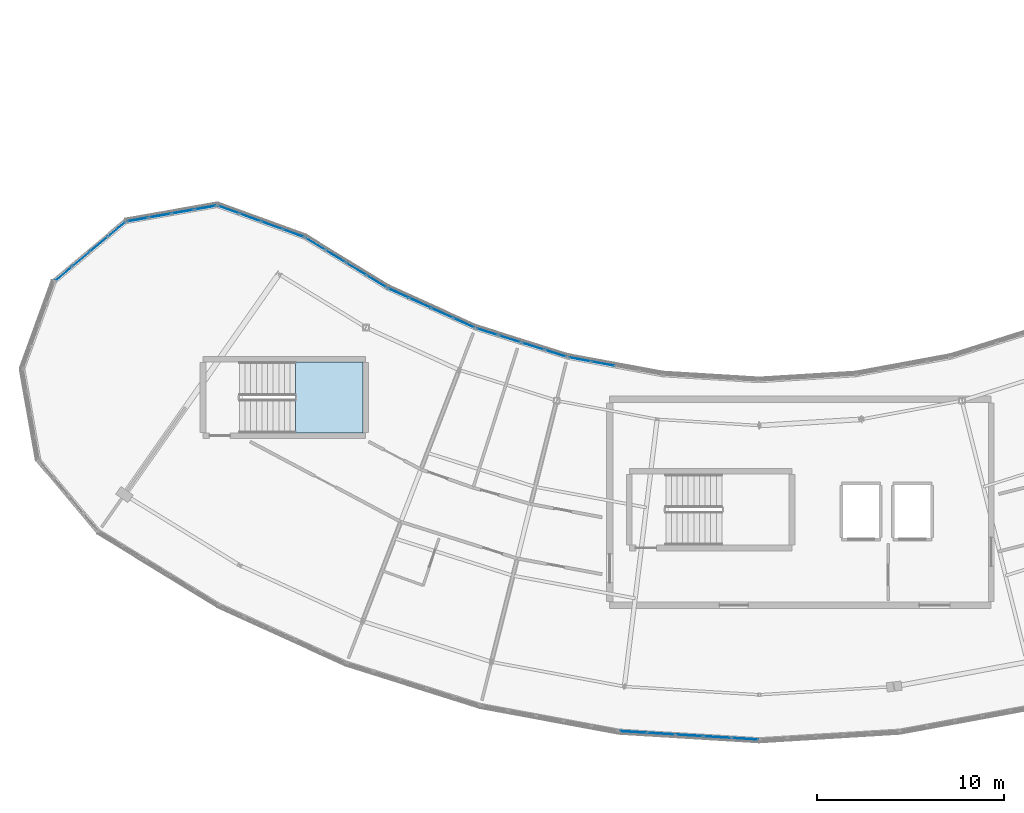
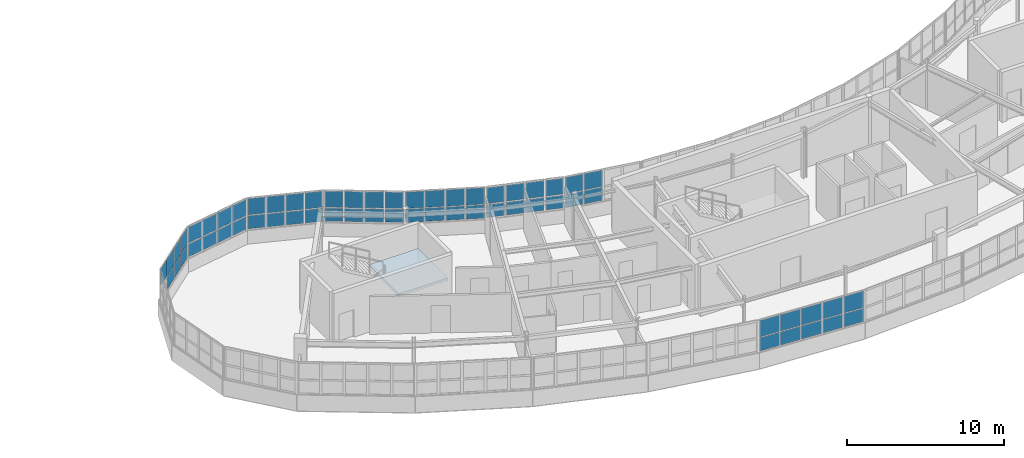
# One storey, part 47 of 79: 61 plates, 1 slab, 9 elements without a shape of their own.
"""IFC4 building model written with IfcOpenShell, lengths in metres."""

from ifc_helpers import new_model, si_unit, direction, frame, origin, origin_2d, place, context, subcontext, project, spatial, polyline, rectangle, outline, extrude, material, layer, layer_set, type_object, element, aggregate, save


model = new_model("IFC4")

# Units and contexts
model_context = context("Model", 3, precision=1e-05, world=origin(), true_north=direction((0.0, 1.0)))
body_context = subcontext(model_context, "Body", "Model", "MODEL_VIEW")
ifc_project = project(units=[si_unit("LENGTHUNIT", "METRE"), si_unit("AREAUNIT", "SQUARE_METRE"), si_unit("VOLUMEUNIT", "CUBIC_METRE"), si_unit("PLANEANGLEUNIT", "RADIAN"), si_unit("MASSUNIT", "GRAM", prefix="KILO")], contexts=[model_context])

# Site, building, storey
site_placement = place(None, origin())
site = spatial("IfcSite", under=ifc_project, at=site_placement, CompositionType="ELEMENT")
building_placement = place(site_placement, origin())
building = spatial("IfcBuilding", under=site, at=building_placement, Name="Tarnwether General Hospital", CompositionType="ELEMENT")
storey_placement = place(building_placement, frame((0.0, 0.0, 18.300048828125)))
storey = spatial("IfcBuildingStorey", under=building, at=storey_placement, Name="L04", CompositionType="ELEMENT", Elevation=18.300048828125)

# Curtain wall, plates
ifc_material_1 = material(Name="Anodised aluminium", Category="aluminium")
ifc_layer_1 = layer(ifc_material_1, 0.159912109375)
ifc_layer_set_1 = layer_set([ifc_layer_1], Name="Anodised aluminium")
curtain_wall_type_1 = type_object("IfcCurtainWallType", Name="CW-09", PredefinedType="NOTDEFINED", material=ifc_layer_set_1)
curtain_wall_1_placement = place(storey_placement, origin())
curtain_wall_1 = element("IfcCurtainWall", 1, at=curtain_wall_1_placement, inside=storey, type_object=curtain_wall_type_1, Name="Curtain Wall CWG-L04-920_14-0190", PredefinedType="NOTDEFINED")
ifc_material_2 = material(Name="Double glazed low-E glass", Category="glass")
ifc_layer_2 = layer(ifc_material_2, 0.028076171875)
ifc_layer_set_2 = layer_set([ifc_layer_2], Name="Double glazed low-E glass")
plate_type_1 = type_object("IfcPlateType", Name="PT-CWP1", PredefinedType="CURTAIN_PANEL", material=ifc_layer_set_2)
plate_1_placement = place(storey_placement, frame((91.234375, 1.44677734375, 1.10986328125), z_axis=(0.0, 0.0, 1.0), x_axis=(-0.998135995608, 0.061028962567, 0.0)))
plate_1 = element("IfcPlate", 2, at=plate_1_placement, type_object=plate_type_1, Name="CW-09 panel 1.1", PredefinedType="CURTAIN_PANEL", context=body_context, shape_type="SweptSolid", body=[
    extrude(rectangle(XDim=1.414306640625, YDim=0.028076171875, at=origin_2d()), origin(), (0.0, 0.0, 1.0), 1.030517578125),
])
plate_2_placement = place(storey_placement, frame((91.234375, 1.44677734375, 2.2001953125), z_axis=(0.0, 0.0, 1.0), x_axis=(-0.998135995608, 0.061028962567, 0.0)))
plate_2 = element("IfcPlate", 3, at=plate_2_placement, type_object=plate_type_1, Name="CW-09 panel 1.2", PredefinedType="CURTAIN_PANEL", context=body_context, shape_type="SweptSolid", body=[
    extrude(rectangle(XDim=1.414306640625, YDim=0.028076171875, at=origin_2d()), origin(), (0.0, 0.0, 1.0), 1.279541015625),
])
plate_3_placement = place(storey_placement, frame((89.747802734375, 1.53759765625, 1.10986328125), z_axis=(0.0, 0.0, 1.0), x_axis=(-0.998135995608, 0.061028962567, 0.0)))
plate_3 = element("IfcPlate", 4, at=plate_3_placement, type_object=plate_type_1, Name="CW-09 panel 2.1", PredefinedType="CURTAIN_PANEL", context=body_context, shape_type="SweptSolid", body=[
    extrude(rectangle(XDim=1.444091796875, YDim=0.028076171875, at=origin_2d()), origin(), (0.0, 0.0, 1.0), 1.030517578125),
])
plate_4_placement = place(storey_placement, frame((89.747802734375, 1.53759765625, 2.2001953125), z_axis=(0.0, 0.0, 1.0), x_axis=(-0.998135995608, 0.061028962567, 0.0)))
plate_4 = element("IfcPlate", 5, at=plate_4_placement, type_object=plate_type_1, Name="CW-09 panel 2.2", PredefinedType="CURTAIN_PANEL", context=body_context, shape_type="SweptSolid", body=[
    extrude(rectangle(XDim=1.444091796875, YDim=0.028076171875, at=origin_2d()), origin(), (0.0, 0.0, 1.0), 1.279541015625),
])
plate_5_placement = place(storey_placement, frame((88.24658203125, 1.62939453125, 1.10986328125), z_axis=(0.0, 0.0, 1.0), x_axis=(-0.998135995608, 0.061028962567, 0.0)))
plate_5 = element("IfcPlate", 6, at=plate_5_placement, type_object=plate_type_1, Name="CW-09 panel 3.1", PredefinedType="CURTAIN_PANEL", context=body_context, shape_type="SweptSolid", body=[
    extrude(rectangle(XDim=1.444091796875, YDim=0.028076171875, at=origin_2d()), origin(), (0.0, 0.0, 1.0), 1.030517578125),
])
plate_6_placement = place(storey_placement, frame((88.24658203125, 1.62939453125, 2.2001953125), z_axis=(0.0, 0.0, 1.0), x_axis=(-0.998135995608, 0.061028962567, 0.0)))
plate_6 = element("IfcPlate", 7, at=plate_6_placement, type_object=plate_type_1, Name="CW-09 panel 3.2", PredefinedType="CURTAIN_PANEL", context=body_context, shape_type="SweptSolid", body=[
    extrude(rectangle(XDim=1.444091796875, YDim=0.028076171875, at=origin_2d()), origin(), (0.0, 0.0, 1.0), 1.279541015625),
])
plate_7_placement = place(storey_placement, frame((86.7451171875, 1.72119140625, 1.10986328125), z_axis=(0.0, 0.0, 1.0), x_axis=(-0.998135995608, 0.061028962567, 0.0)))
plate_7 = element("IfcPlate", 8, at=plate_7_placement, type_object=plate_type_1, Name="CW-09 panel 4.1", PredefinedType="CURTAIN_PANEL", context=body_context, shape_type="SweptSolid", body=[
    extrude(rectangle(XDim=1.444091796875, YDim=0.028076171875, at=origin_2d()), origin(), (0.0, 0.0, 1.0), 1.030517578125),
])
plate_8_placement = place(storey_placement, frame((86.7451171875, 1.72119140625, 2.2001953125), z_axis=(0.0, 0.0, 1.0), x_axis=(-0.998135995608, 0.061028962567, 0.0)))
plate_8 = element("IfcPlate", 9, at=plate_8_placement, type_object=plate_type_1, Name="CW-09 panel 4.2", PredefinedType="CURTAIN_PANEL", context=body_context, shape_type="SweptSolid", body=[
    extrude(rectangle(XDim=1.444091796875, YDim=0.028076171875, at=origin_2d()), origin(), (0.0, 0.0, 1.0), 1.279541015625),
])
plate_9_placement = place(storey_placement, frame((85.2587890625, 1.812255859375, 1.10986328125), z_axis=(0.0, 0.0, 1.0), x_axis=(-0.998135995608, 0.061028962567, 0.0)))
plate_9 = element("IfcPlate", 10, at=plate_9_placement, type_object=plate_type_1, Name="CW-09 panel 5.1", PredefinedType="CURTAIN_PANEL", context=body_context, shape_type="SweptSolid", body=[
    extrude(rectangle(XDim=1.414306640625, YDim=0.028076171875, at=origin_2d()), origin(), (0.0, 0.0, 1.0), 1.030517578125),
])
plate_10_placement = place(storey_placement, frame((85.2587890625, 1.812255859375, 2.2001953125), z_axis=(0.0, 0.0, 1.0), x_axis=(-0.998135995608, 0.061028962567, 0.0)))
plate_10 = element("IfcPlate", 11, at=plate_10_placement, type_object=plate_type_1, Name="CW-09 panel 5.2", PredefinedType="CURTAIN_PANEL", context=body_context, shape_type="SweptSolid", body=[
    extrude(rectangle(XDim=1.414306640625, YDim=0.028076171875, at=origin_2d()), origin(), (0.0, 0.0, 1.0), 1.279541015625),
])
aggregate(curtain_wall_1, [plate_1, plate_2, plate_3, plate_4, plate_5, plate_6, plate_7, plate_8, plate_9, plate_10])

ifc_material_3 = material(Name="Anodised aluminium", Category="aluminium")
ifc_layer_3 = layer(ifc_material_3, 0.159912109375)
ifc_layer_set_3 = layer_set([ifc_layer_3], Name="Anodised aluminium")
curtain_wall_type_2 = type_object("IfcCurtainWallType", Name="CW-03", PredefinedType="NOTDEFINED", material=ifc_layer_set_3)
curtain_wall_2_placement = place(storey_placement, origin())
curtain_wall_2 = element("IfcCurtainWall", 12, at=curtain_wall_2_placement, inside=storey, type_object=curtain_wall_type_2, Name="Curtain Wall CWG-L04-817_219-0208", PredefinedType="NOTDEFINED")
plate_11_placement = place(storey_placement, frame((82.395263671875, 21.73828125, 1.114990234375), z_axis=(0.0, 0.0, 1.0), x_axis=(0.983267910924, -0.182165351666, 0.0)))
plate_11 = element("IfcPlate", 13, at=plate_11_placement, type_object=plate_type_1, Name="CW-03 panel 1.1", PredefinedType="CURTAIN_PANEL", context=body_context, shape_type="SweptSolid", body=[
    extrude(rectangle(XDim=1.196533203125, YDim=0.028076171875, at=origin_2d()), origin(), (0.0, 0.0, 1.0), 1.02294921875),
])
plate_12_placement = place(storey_placement, frame((82.395263671875, 21.73828125, 2.202880859375), z_axis=(0.0, 0.0, 1.0), x_axis=(0.983267910924, -0.182165351666, 0.0)))
plate_12 = element("IfcPlate", 14, at=plate_12_placement, type_object=plate_type_1, Name="CW-03 panel 1.2", PredefinedType="CURTAIN_PANEL", context=body_context, shape_type="SweptSolid", body=[
    extrude(rectangle(XDim=1.196533203125, YDim=0.028076171875, at=origin_2d()), origin(), (0.0, 0.0, 1.0), 1.27197265625),
])
plate_13_placement = place(storey_placement, frame((83.65185546875, 21.50537109375, 1.114990234375), z_axis=(0.0, 0.0, 1.0), x_axis=(0.983267910924, -0.182165351666, 0.0)))
plate_13 = element("IfcPlate", 15, at=plate_13_placement, type_object=plate_type_1, Name="CW-03 panel 2.1", PredefinedType="CURTAIN_PANEL", context=body_context, shape_type="SweptSolid", body=[
    extrude(rectangle(XDim=1.229248046875, YDim=0.028076171875, at=origin_2d()), origin(), (0.0, 0.0, 1.0), 1.02294921875),
])
plate_14_placement = place(storey_placement, frame((83.65185546875, 21.50537109375, 2.202880859375), z_axis=(0.0, 0.0, 1.0), x_axis=(0.983267910924, -0.182165351666, 0.0)))
plate_14 = element("IfcPlate", 16, at=plate_14_placement, type_object=plate_type_1, Name="CW-03 panel 2.2", PredefinedType="CURTAIN_PANEL", context=body_context, shape_type="SweptSolid", body=[
    extrude(rectangle(XDim=1.229248046875, YDim=0.028076171875, at=origin_2d()), origin(), (0.0, 0.0, 1.0), 1.27197265625),
])
aggregate(curtain_wall_2, [plate_11, plate_12, plate_13, plate_14])

curtain_wall_3_placement = place(storey_placement, origin())
curtain_wall_3 = element("IfcCurtainWall", 17, at=curtain_wall_3_placement, inside=storey, type_object=curtain_wall_type_2, Name="Curtain Wall CWG-L04-768_234-0209", PredefinedType="NOTDEFINED")
plate_15_placement = place(storey_placement, frame((77.44140625, 23.21533203125, 1.1298828125), z_axis=(0.0, 0.0, 1.0), x_axis=(0.953713927508, -0.30071538783, 0.0)))
plate_15 = element("IfcPlate", 18, at=plate_15_placement, type_object=plate_type_1, Name="CW-03 panel 1.1", PredefinedType="CURTAIN_PANEL", context=body_context, shape_type="SweptSolid", body=[
    extrude(rectangle(XDim=1.17431640625, YDim=0.028076171875, at=origin_2d()), origin(), (0.0, 0.0, 1.0), 1.00048828125),
])
plate_16_placement = place(storey_placement, frame((77.44140625, 23.21533203125, 2.21044921875), z_axis=(0.0, 0.0, 1.0), x_axis=(0.953713927508, -0.30071538783, 0.0)))
plate_16 = element("IfcPlate", 19, at=plate_16_placement, type_object=plate_type_1, Name="CW-03 panel 1.2", PredefinedType="CURTAIN_PANEL", context=body_context, shape_type="SweptSolid", body=[
    extrude(rectangle(XDim=1.17431640625, YDim=0.028076171875, at=origin_2d()), origin(), (0.0, 0.0, 1.0), 1.24951171875),
])
plate_17_placement = place(storey_placement, frame((78.65673828125, 22.83203125, 1.1298828125), z_axis=(0.0, 0.0, 1.0), x_axis=(0.953713927508, -0.30071538783, 0.0)))
plate_17 = element("IfcPlate", 20, at=plate_17_placement, type_object=plate_type_1, Name="CW-03 panel 2.1", PredefinedType="CURTAIN_PANEL", context=body_context, shape_type="SweptSolid", body=[
    extrude(rectangle(XDim=1.21435546875, YDim=0.028076171875, at=origin_2d()), origin(), (0.0, 0.0, 1.0), 1.00048828125),
])
plate_18_placement = place(storey_placement, frame((78.65673828125, 22.83203125, 2.21044921875), z_axis=(0.0, 0.0, 1.0), x_axis=(0.953713927508, -0.30071538783, 0.0)))
plate_18 = element("IfcPlate", 21, at=plate_18_placement, type_object=plate_type_1, Name="CW-03 panel 2.2", PredefinedType="CURTAIN_PANEL", context=body_context, shape_type="SweptSolid", body=[
    extrude(rectangle(XDim=1.21435546875, YDim=0.028076171875, at=origin_2d()), origin(), (0.0, 0.0, 1.0), 1.24951171875),
])
plate_19_placement = place(storey_placement, frame((79.891357421875, 22.44287109375, 1.1298828125), z_axis=(0.0, 0.0, 1.0), x_axis=(0.953713927508, -0.30071538783, 0.0)))
plate_19 = element("IfcPlate", 22, at=plate_19_placement, type_object=plate_type_1, Name="CW-03 panel 3.1", PredefinedType="CURTAIN_PANEL", context=body_context, shape_type="SweptSolid", body=[
    extrude(rectangle(XDim=1.21435546875, YDim=0.028076171875, at=origin_2d()), origin(), (0.0, 0.0, 1.0), 1.00048828125),
])
plate_20_placement = place(storey_placement, frame((79.891357421875, 22.44287109375, 2.21044921875), z_axis=(0.0, 0.0, 1.0), x_axis=(0.953713927508, -0.30071538783, 0.0)))
plate_20 = element("IfcPlate", 23, at=plate_20_placement, type_object=plate_type_1, Name="CW-03 panel 3.2", PredefinedType="CURTAIN_PANEL", context=body_context, shape_type="SweptSolid", body=[
    extrude(rectangle(XDim=1.21435546875, YDim=0.028076171875, at=origin_2d()), origin(), (0.0, 0.0, 1.0), 1.24951171875),
])
plate_21_placement = place(storey_placement, frame((81.106689453125, 22.0595703125, 1.1298828125), z_axis=(0.0, 0.0, 1.0), x_axis=(0.953713927508, -0.30071538783, 0.0)))
plate_21 = element("IfcPlate", 24, at=plate_21_placement, type_object=plate_type_1, Name="CW-03 panel 4.1", PredefinedType="CURTAIN_PANEL", context=body_context, shape_type="SweptSolid", body=[
    extrude(rectangle(XDim=1.17431640625, YDim=0.028076171875, at=origin_2d()), origin(), (0.0, 0.0, 1.0), 1.00048828125),
])
plate_22_placement = place(storey_placement, frame((81.106689453125, 22.0595703125, 2.21044921875), z_axis=(0.0, 0.0, 1.0), x_axis=(0.953713927508, -0.30071538783, 0.0)))
plate_22 = element("IfcPlate", 25, at=plate_22_placement, type_object=plate_type_1, Name="CW-03 panel 4.2", PredefinedType="CURTAIN_PANEL", context=body_context, shape_type="SweptSolid", body=[
    extrude(rectangle(XDim=1.17431640625, YDim=0.028076171875, at=origin_2d()), origin(), (0.0, 0.0, 1.0), 1.24951171875),
])
aggregate(curtain_wall_3, [plate_15, plate_16, plate_17, plate_18, plate_19, plate_20, plate_21, plate_22])

curtain_wall_4_placement = place(storey_placement, origin())
curtain_wall_4 = element("IfcCurtainWall", 26, at=curtain_wall_4_placement, inside=storey, type_object=curtain_wall_type_2, Name="Curtain Wall CWG-L04-677_283-0211", PredefinedType="NOTDEFINED")
plate_23_placement = place(storey_placement, frame((68.24658203125, 27.920654296875, 1.1201171875), z_axis=(0.0, 0.0, 1.0), x_axis=(0.852631789198, -0.522512231483, 0.0)))
plate_23 = element("IfcPlate", 27, at=plate_23_placement, type_object=plate_type_1, Name="CW-03 panel 1.1", PredefinedType="CURTAIN_PANEL", context=body_context, shape_type="SweptSolid", body=[
    extrude(rectangle(XDim=1.189208984375, YDim=0.028076171875, at=origin_2d()), origin(), (0.0, 0.0, 1.0), 1.015380859375),
])
plate_24_placement = place(storey_placement, frame((68.24658203125, 27.920654296875, 2.20556640625), z_axis=(0.0, 0.0, 1.0), x_axis=(0.852631789198, -0.522512231483, 0.0)))
plate_24 = element("IfcPlate", 28, at=plate_24_placement, type_object=plate_type_1, Name="CW-03 panel 1.2", PredefinedType="CURTAIN_PANEL", context=body_context, shape_type="SweptSolid", body=[
    extrude(rectangle(XDim=1.189208984375, YDim=0.028076171875, at=origin_2d()), origin(), (0.0, 0.0, 1.0), 1.264404296875),
])
plate_25_placement = place(storey_placement, frame((69.335205078125, 27.253662109375, 1.1201171875), z_axis=(0.0, 0.0, 1.0), x_axis=(0.852631789198, -0.522512231483, 0.0)))
plate_25 = element("IfcPlate", 29, at=plate_25_placement, type_object=plate_type_1, Name="CW-03 panel 2.1", PredefinedType="CURTAIN_PANEL", context=body_context, shape_type="SweptSolid", body=[
    extrude(rectangle(XDim=1.22412109375, YDim=0.028076171875, at=origin_2d()), origin(), (0.0, 0.0, 1.0), 1.015380859375),
])
plate_26_placement = place(storey_placement, frame((69.335205078125, 27.253662109375, 2.20556640625), z_axis=(0.0, 0.0, 1.0), x_axis=(0.852631789198, -0.522512231483, 0.0)))
plate_26 = element("IfcPlate", 30, at=plate_26_placement, type_object=plate_type_1, Name="CW-03 panel 2.2", PredefinedType="CURTAIN_PANEL", context=body_context, shape_type="SweptSolid", body=[
    extrude(rectangle(XDim=1.22412109375, YDim=0.028076171875, at=origin_2d()), origin(), (0.0, 0.0, 1.0), 1.264404296875),
])
plate_27_placement = place(storey_placement, frame((70.438720703125, 26.577392578125, 1.1201171875), z_axis=(0.0, 0.0, 1.0), x_axis=(0.852631789198, -0.522512231483, 0.0)))
plate_27 = element("IfcPlate", 31, at=plate_27_placement, type_object=plate_type_1, Name="CW-03 panel 3.1", PredefinedType="CURTAIN_PANEL", context=body_context, shape_type="SweptSolid", body=[
    extrude(rectangle(XDim=1.22412109375, YDim=0.028076171875, at=origin_2d()), origin(), (0.0, 0.0, 1.0), 1.015380859375),
])
plate_28_placement = place(storey_placement, frame((70.438720703125, 26.577392578125, 2.20556640625), z_axis=(0.0, 0.0, 1.0), x_axis=(0.852631789198, -0.522512231483, 0.0)))
plate_28 = element("IfcPlate", 32, at=plate_28_placement, type_object=plate_type_1, Name="CW-03 panel 3.2", PredefinedType="CURTAIN_PANEL", context=body_context, shape_type="SweptSolid", body=[
    extrude(rectangle(XDim=1.22412109375, YDim=0.028076171875, at=origin_2d()), origin(), (0.0, 0.0, 1.0), 1.264404296875),
])
plate_29_placement = place(storey_placement, frame((71.52734375, 25.91015625, 1.1201171875), z_axis=(0.0, 0.0, 1.0), x_axis=(0.852631789198, -0.522512231483, 0.0)))
plate_29 = element("IfcPlate", 33, at=plate_29_placement, type_object=plate_type_1, Name="CW-03 panel 4.1", PredefinedType="CURTAIN_PANEL", context=body_context, shape_type="SweptSolid", body=[
    extrude(rectangle(XDim=1.189208984375, YDim=0.028076171875, at=origin_2d()), origin(), (0.0, 0.0, 1.0), 1.015380859375),
])
plate_30_placement = place(storey_placement, frame((71.52734375, 25.91015625, 2.20556640625), z_axis=(0.0, 0.0, 1.0), x_axis=(0.852631789198, -0.522512231483, 0.0)))
plate_30 = element("IfcPlate", 34, at=plate_30_placement, type_object=plate_type_1, Name="CW-03 panel 4.2", PredefinedType="CURTAIN_PANEL", context=body_context, shape_type="SweptSolid", body=[
    extrude(rectangle(XDim=1.189208984375, YDim=0.028076171875, at=origin_2d()), origin(), (0.0, 0.0, 1.0), 1.264404296875),
])
aggregate(curtain_wall_4, [plate_23, plate_24, plate_25, plate_26, plate_27, plate_28, plate_29, plate_30])

curtain_wall_5_placement = place(storey_placement, origin())
curtain_wall_5 = element("IfcCurtainWall", 35, at=curtain_wall_5_placement, inside=storey, type_object=curtain_wall_type_2, Name="Curtain Wall CWG-L04-630_300-0212", PredefinedType="NOTDEFINED")
plate_31_placement = place(storey_placement, frame((63.60986328125, 29.75, 1.114990234375), z_axis=(0.0, 0.0, 1.0), x_axis=(0.939652319163, -0.342130850834, 0.0)))
plate_31 = element("IfcPlate", 36, at=plate_31_placement, type_object=plate_type_1, Name="CW-03 panel 1.1", PredefinedType="CURTAIN_PANEL", context=body_context, shape_type="SweptSolid", body=[
    extrude(rectangle(XDim=1.144775390625, YDim=0.028076171875, at=origin_2d()), origin(), (0.0, 0.0, 1.0), 1.02294921875),
])
plate_32_placement = place(storey_placement, frame((63.60986328125, 29.75, 2.202880859375), z_axis=(0.0, 0.0, 1.0), x_axis=(0.939652319163, -0.342130850834, 0.0)))
plate_32 = element("IfcPlate", 37, at=plate_32_placement, type_object=plate_type_1, Name="CW-03 panel 1.2", PredefinedType="CURTAIN_PANEL", context=body_context, shape_type="SweptSolid", body=[
    extrude(rectangle(XDim=1.144775390625, YDim=0.028076171875, at=origin_2d()), origin(), (0.0, 0.0, 1.0), 1.27197265625),
])
plate_33_placement = place(storey_placement, frame((64.761962890625, 29.33056640625, 1.114990234375), z_axis=(0.0, 0.0, 1.0), x_axis=(0.939652319163, -0.342130850834, 0.0)))
plate_33 = element("IfcPlate", 38, at=plate_33_placement, type_object=plate_type_1, Name="CW-03 panel 2.1", PredefinedType="CURTAIN_PANEL", context=body_context, shape_type="SweptSolid", body=[
    extrude(rectangle(XDim=1.17724609375, YDim=0.028076171875, at=origin_2d()), origin(), (0.0, 0.0, 1.0), 1.02294921875),
])
plate_34_placement = place(storey_placement, frame((64.761962890625, 29.33056640625, 2.202880859375), z_axis=(0.0, 0.0, 1.0), x_axis=(0.939652319163, -0.342130850834, 0.0)))
plate_34 = element("IfcPlate", 39, at=plate_34_placement, type_object=plate_type_1, Name="CW-03 panel 2.2", PredefinedType="CURTAIN_PANEL", context=body_context, shape_type="SweptSolid", body=[
    extrude(rectangle(XDim=1.17724609375, YDim=0.028076171875, at=origin_2d()), origin(), (0.0, 0.0, 1.0), 1.27197265625),
])
plate_35_placement = place(storey_placement, frame((65.92919921875, 28.905517578125, 1.114990234375), z_axis=(0.0, 0.0, 1.0), x_axis=(0.939652319163, -0.342130850834, 0.0)))
plate_35 = element("IfcPlate", 40, at=plate_35_placement, type_object=plate_type_1, Name="CW-03 panel 3.1", PredefinedType="CURTAIN_PANEL", context=body_context, shape_type="SweptSolid", body=[
    extrude(rectangle(XDim=1.17724609375, YDim=0.028076171875, at=origin_2d()), origin(), (0.0, 0.0, 1.0), 1.02294921875),
])
plate_36_placement = place(storey_placement, frame((65.92919921875, 28.905517578125, 2.202880859375), z_axis=(0.0, 0.0, 1.0), x_axis=(0.939652319163, -0.342130850834, 0.0)))
plate_36 = element("IfcPlate", 41, at=plate_36_placement, type_object=plate_type_1, Name="CW-03 panel 3.2", PredefinedType="CURTAIN_PANEL", context=body_context, shape_type="SweptSolid", body=[
    extrude(rectangle(XDim=1.17724609375, YDim=0.028076171875, at=origin_2d()), origin(), (0.0, 0.0, 1.0), 1.27197265625),
])
plate_37_placement = place(storey_placement, frame((67.0810546875, 28.486083984375, 1.114990234375), z_axis=(0.0, 0.0, 1.0), x_axis=(0.939652319163, -0.342130850834, 0.0)))
plate_37 = element("IfcPlate", 42, at=plate_37_placement, type_object=plate_type_1, Name="CW-03 panel 4.1", PredefinedType="CURTAIN_PANEL", context=body_context, shape_type="SweptSolid", body=[
    extrude(rectangle(XDim=1.144775390625, YDim=0.028076171875, at=origin_2d()), origin(), (0.0, 0.0, 1.0), 1.02294921875),
])
plate_38_placement = place(storey_placement, frame((67.0810546875, 28.486083984375, 2.202880859375), z_axis=(0.0, 0.0, 1.0), x_axis=(0.939652319163, -0.342130850834, 0.0)))
plate_38 = element("IfcPlate", 43, at=plate_38_placement, type_object=plate_type_1, Name="CW-03 panel 4.2", PredefinedType="CURTAIN_PANEL", context=body_context, shape_type="SweptSolid", body=[
    extrude(rectangle(XDim=1.144775390625, YDim=0.028076171875, at=origin_2d()), origin(), (0.0, 0.0, 1.0), 1.27197265625),
])
aggregate(curtain_wall_5, [plate_31, plate_32, plate_33, plate_34, plate_35, plate_36, plate_37, plate_38])

curtain_wall_6_placement = place(storey_placement, origin())
curtain_wall_6 = element("IfcCurtainWall", 44, at=curtain_wall_6_placement, inside=storey, type_object=curtain_wall_type_2, Name="Curtain Wall CWG-L04-543_259-0214", PredefinedType="NOTDEFINED")
plate_39_placement = place(storey_placement, frame((54.79736328125, 26.319091796875, 2.2001953125), z_axis=(0.0, 0.0, 1.0), x_axis=(0.765990176896, 0.64285227611, 0.0)))
plate_39 = element("IfcPlate", 45, at=plate_39_placement, type_object=plate_type_1, Name="CW-03 panel 1.2", PredefinedType="CURTAIN_PANEL", context=body_context, shape_type="SweptSolid", body=[
    extrude(rectangle(XDim=1.152587890625, YDim=0.028076171875, at=origin_2d()), origin(), (0.0, 0.0, 1.0), 1.279541015625),
])
plate_40_placement = place(storey_placement, frame((55.737548828125, 27.108154296875, 1.10986328125), z_axis=(0.0, 0.0, 1.0), x_axis=(0.765990176896, 0.64285227611, 0.0)))
plate_40 = element("IfcPlate", 46, at=plate_40_placement, type_object=plate_type_1, Name="CW-03 panel 2.1", PredefinedType="CURTAIN_PANEL", context=body_context, shape_type="SweptSolid", body=[
    extrude(rectangle(XDim=1.1826171875, YDim=0.028076171875, at=origin_2d()), origin(), (0.0, 0.0, 1.0), 1.030517578125),
])
plate_41_placement = place(storey_placement, frame((55.737548828125, 27.108154296875, 2.2001953125), z_axis=(0.0, 0.0, 1.0), x_axis=(0.765990176896, 0.64285227611, 0.0)))
plate_41 = element("IfcPlate", 47, at=plate_41_placement, type_object=plate_type_1, Name="CW-03 panel 2.2", PredefinedType="CURTAIN_PANEL", context=body_context, shape_type="SweptSolid", body=[
    extrude(rectangle(XDim=1.1826171875, YDim=0.028076171875, at=origin_2d()), origin(), (0.0, 0.0, 1.0), 1.279541015625),
])
plate_42_placement = place(storey_placement, frame((56.689453125, 27.906982421875, 1.10986328125), z_axis=(0.0, 0.0, 1.0), x_axis=(0.765990176896, 0.64285227611, 0.0)))
plate_42 = element("IfcPlate", 48, at=plate_42_placement, type_object=plate_type_1, Name="CW-03 panel 3.1", PredefinedType="CURTAIN_PANEL", context=body_context, shape_type="SweptSolid", body=[
    extrude(rectangle(XDim=1.1826171875, YDim=0.028076171875, at=origin_2d()), origin(), (0.0, 0.0, 1.0), 1.030517578125),
])
plate_43_placement = place(storey_placement, frame((56.689453125, 27.906982421875, 2.2001953125), z_axis=(0.0, 0.0, 1.0), x_axis=(0.765990176896, 0.64285227611, 0.0)))
plate_43 = element("IfcPlate", 49, at=plate_43_placement, type_object=plate_type_1, Name="CW-03 panel 3.2", PredefinedType="CURTAIN_PANEL", context=body_context, shape_type="SweptSolid", body=[
    extrude(rectangle(XDim=1.1826171875, YDim=0.028076171875, at=origin_2d()), origin(), (0.0, 0.0, 1.0), 1.279541015625),
])
plate_44_placement = place(storey_placement, frame((57.629638671875, 28.696044921875, 1.10986328125), z_axis=(0.0, 0.0, 1.0), x_axis=(0.765990176896, 0.64285227611, 0.0)))
plate_44 = element("IfcPlate", 50, at=plate_44_placement, type_object=plate_type_1, Name="CW-03 panel 4.1", PredefinedType="CURTAIN_PANEL", context=body_context, shape_type="SweptSolid", body=[
    extrude(rectangle(XDim=1.152587890625, YDim=0.028076171875, at=origin_2d()), origin(), (0.0, 0.0, 1.0), 1.030517578125),
])
plate_45_placement = place(storey_placement, frame((57.629638671875, 28.696044921875, 2.2001953125), z_axis=(0.0, 0.0, 1.0), x_axis=(0.765990176896, 0.64285227611, 0.0)))
plate_45 = element("IfcPlate", 51, at=plate_45_placement, type_object=plate_type_1, Name="CW-03 panel 4.2", PredefinedType="CURTAIN_PANEL", context=body_context, shape_type="SweptSolid", body=[
    extrude(rectangle(XDim=1.152587890625, YDim=0.028076171875, at=origin_2d()), origin(), (0.0, 0.0, 1.0), 1.279541015625),
])
aggregate(curtain_wall_6, [plate_39, plate_40, plate_41, plate_42, plate_43, plate_44, plate_45])

curtain_wall_7_placement = place(storey_placement, origin())
curtain_wall_7 = element("IfcCurtainWall", 52, at=curtain_wall_7_placement, inside=storey, type_object=curtain_wall_type_2, Name="Curtain Wall CWG-L04-721_256-0210", PredefinedType="NOTDEFINED")
ifc_material_4 = material(Name="Double glazed low-E glass", Category="glass")
ifc_layer_4 = layer(ifc_material_4, 0.035888671875)
ifc_layer_set_4 = layer_set([ifc_layer_4], Name="Double glazed low-E glass")
plate_type_2 = type_object("IfcPlateType", Name="PT-CWP2", PredefinedType="CURTAIN_PANEL", material=ifc_layer_set_4)
plate_46_placement = place(storey_placement, frame((72.696533203125, 25.288330078125, 1.10986328125), z_axis=(0.0, 0.0, 1.0), x_axis=(0.90995590549, -0.41470501572, 0.0)))
plate_46 = element("IfcPlate", 53, at=plate_46_placement, type_object=plate_type_2, Name="CW-03 panel 1.1", PredefinedType="CURTAIN_PANEL", context=body_context, shape_type="SweptSolid", body=[
    extrude(rectangle(XDim=1.204345703125, YDim=0.035888671875, at=origin_2d()), origin(), (0.0, 0.0, 1.0), 1.030517578125),
])
plate_47_placement = place(storey_placement, frame((72.696533203125, 25.288330078125, 2.2001953125), z_axis=(0.0, 0.0, 1.0), x_axis=(0.90995590549, -0.41470501572, 0.0)))
plate_47 = element("IfcPlate", 54, at=plate_47_placement, type_object=plate_type_2, Name="CW-03 panel 1.2", PredefinedType="CURTAIN_PANEL", context=body_context, shape_type="SweptSolid", body=[
    extrude(rectangle(XDim=1.204345703125, YDim=0.035888671875, at=origin_2d()), origin(), (0.0, 0.0, 1.0), 1.279541015625),
])
plate_48_placement = place(storey_placement, frame((73.860595703125, 24.7578125, 1.10986328125), z_axis=(0.0, 0.0, 1.0), x_axis=(0.90995590549, -0.41470501572, 0.0)))
plate_48 = element("IfcPlate", 55, at=plate_48_placement, type_object=plate_type_2, Name="CW-03 panel 2.1", PredefinedType="CURTAIN_PANEL", context=body_context, shape_type="SweptSolid", body=[
    extrude(rectangle(XDim=1.234375, YDim=0.035888671875, at=origin_2d()), origin(), (0.0, 0.0, 1.0), 1.030517578125),
])
plate_49_placement = place(storey_placement, frame((73.860595703125, 24.7578125, 2.2001953125), z_axis=(0.0, 0.0, 1.0), x_axis=(0.90995590549, -0.41470501572, 0.0)))
plate_49 = element("IfcPlate", 56, at=plate_49_placement, type_object=plate_type_2, Name="CW-03 panel 2.2", PredefinedType="CURTAIN_PANEL", context=body_context, shape_type="SweptSolid", body=[
    extrude(rectangle(XDim=1.234375, YDim=0.035888671875, at=origin_2d()), origin(), (0.0, 0.0, 1.0), 1.279541015625),
])
plate_50_placement = place(storey_placement, frame((75.038330078125, 24.22119140625, 1.10986328125), z_axis=(0.0, 0.0, 1.0), x_axis=(0.90995590549, -0.41470501572, 0.0)))
plate_50 = element("IfcPlate", 57, at=plate_50_placement, type_object=plate_type_2, Name="CW-03 panel 3.1", PredefinedType="CURTAIN_PANEL", context=body_context, shape_type="SweptSolid", body=[
    extrude(rectangle(XDim=1.234375, YDim=0.035888671875, at=origin_2d()), origin(), (0.0, 0.0, 1.0), 1.030517578125),
])
plate_51_placement = place(storey_placement, frame((75.038330078125, 24.22119140625, 2.2001953125), z_axis=(0.0, 0.0, 1.0), x_axis=(0.90995590549, -0.41470501572, 0.0)))
plate_51 = element("IfcPlate", 58, at=plate_51_placement, type_object=plate_type_2, Name="CW-03 panel 3.2", PredefinedType="CURTAIN_PANEL", context=body_context, shape_type="SweptSolid", body=[
    extrude(rectangle(XDim=1.234375, YDim=0.035888671875, at=origin_2d()), origin(), (0.0, 0.0, 1.0), 1.279541015625),
])
plate_52_placement = place(storey_placement, frame((76.202392578125, 23.690673828125, 1.10986328125), z_axis=(0.0, 0.0, 1.0), x_axis=(0.90995590549, -0.41470501572, 0.0)))
plate_52 = element("IfcPlate", 59, at=plate_52_placement, type_object=plate_type_2, Name="CW-03 panel 4.1", PredefinedType="CURTAIN_PANEL", context=body_context, shape_type="SweptSolid", body=[
    extrude(rectangle(XDim=1.204345703125, YDim=0.035888671875, at=origin_2d()), origin(), (0.0, 0.0, 1.0), 1.030517578125),
])
plate_53_placement = place(storey_placement, frame((76.202392578125, 23.690673828125, 2.2001953125), z_axis=(0.0, 0.0, 1.0), x_axis=(0.90995590549, -0.41470501572, 0.0)))
plate_53 = element("IfcPlate", 60, at=plate_53_placement, type_object=plate_type_2, Name="CW-03 panel 4.2", PredefinedType="CURTAIN_PANEL", context=body_context, shape_type="SweptSolid", body=[
    extrude(rectangle(XDim=1.204345703125, YDim=0.035888671875, at=origin_2d()), origin(), (0.0, 0.0, 1.0), 1.279541015625),
])
aggregate(curtain_wall_7, [plate_46, plate_47, plate_48, plate_49, plate_50, plate_51, plate_52, plate_53])

curtain_wall_8_placement = place(storey_placement, origin())
curtain_wall_8 = element("IfcCurtainWall", 61, at=curtain_wall_8_placement, inside=storey, type_object=curtain_wall_type_2, Name="Curtain Wall CWG-L04-581_291-0213", PredefinedType="NOTDEFINED")
plate_54_placement = place(storey_placement, frame((58.74853515625, 29.21630859375, 1.1298828125), z_axis=(0.0, 0.0, 1.0), x_axis=(0.984805834268, 0.173659059054, 0.0)))
plate_54 = element("IfcPlate", 62, at=plate_54_placement, type_object=plate_type_2, Name="CW-03 panel 1.1", PredefinedType="CURTAIN_PANEL", context=body_context, shape_type="SweptSolid", body=[
    extrude(rectangle(XDim=1.122314453125, YDim=0.035888671875, at=origin_2d()), origin(), (0.0, 0.0, 1.0), 1.00048828125),
])
plate_55_placement = place(storey_placement, frame((58.74853515625, 29.21630859375, 2.21044921875), z_axis=(0.0, 0.0, 1.0), x_axis=(0.984805834268, 0.173659059054, 0.0)))
plate_55 = element("IfcPlate", 63, at=plate_55_placement, type_object=plate_type_2, Name="CW-03 panel 1.2", PredefinedType="CURTAIN_PANEL", context=body_context, shape_type="SweptSolid", body=[
    extrude(rectangle(XDim=1.122314453125, YDim=0.035888671875, at=origin_2d()), origin(), (0.0, 0.0, 1.0), 1.24951171875),
])
plate_56_placement = place(storey_placement, frame((59.9521484375, 29.4287109375, 1.1298828125), z_axis=(0.0, 0.0, 1.0), x_axis=(0.984805834268, 0.173659059054, 0.0)))
plate_56 = element("IfcPlate", 64, at=plate_56_placement, type_object=plate_type_2, Name="CW-03 panel 2.1", PredefinedType="CURTAIN_PANEL", context=body_context, shape_type="SweptSolid", body=[
    extrude(rectangle(XDim=1.162353515625, YDim=0.035888671875, at=origin_2d()), origin(), (0.0, 0.0, 1.0), 1.00048828125),
])
plate_57_placement = place(storey_placement, frame((59.9521484375, 29.4287109375, 2.21044921875), z_axis=(0.0, 0.0, 1.0), x_axis=(0.984805834268, 0.173659059054, 0.0)))
plate_57 = element("IfcPlate", 65, at=plate_57_placement, type_object=plate_type_2, Name="CW-03 panel 2.2", PredefinedType="CURTAIN_PANEL", context=body_context, shape_type="SweptSolid", body=[
    extrude(rectangle(XDim=1.162353515625, YDim=0.035888671875, at=origin_2d()), origin(), (0.0, 0.0, 1.0), 1.24951171875),
])
plate_58_placement = place(storey_placement, frame((61.17578125, 29.644287109375, 1.1298828125), z_axis=(0.0, 0.0, 1.0), x_axis=(0.984805834268, 0.173659059054, 0.0)))
plate_58 = element("IfcPlate", 66, at=plate_58_placement, type_object=plate_type_2, Name="CW-03 panel 3.1", PredefinedType="CURTAIN_PANEL", context=body_context, shape_type="SweptSolid", body=[
    extrude(rectangle(XDim=1.162353515625, YDim=0.035888671875, at=origin_2d()), origin(), (0.0, 0.0, 1.0), 1.00048828125),
])
plate_59_placement = place(storey_placement, frame((61.17578125, 29.644287109375, 2.21044921875), z_axis=(0.0, 0.0, 1.0), x_axis=(0.984805834268, 0.173659059054, 0.0)))
plate_59 = element("IfcPlate", 67, at=plate_59_placement, type_object=plate_type_2, Name="CW-03 panel 3.2", PredefinedType="CURTAIN_PANEL", context=body_context, shape_type="SweptSolid", body=[
    extrude(rectangle(XDim=1.162353515625, YDim=0.035888671875, at=origin_2d()), origin(), (0.0, 0.0, 1.0), 1.24951171875),
])
plate_60_placement = place(storey_placement, frame((62.379638671875, 29.856689453125, 1.1298828125), z_axis=(0.0, 0.0, 1.0), x_axis=(0.984805834268, 0.173659059054, 0.0)))
plate_60 = element("IfcPlate", 68, at=plate_60_placement, type_object=plate_type_2, Name="CW-03 panel 4.1", PredefinedType="CURTAIN_PANEL", context=body_context, shape_type="SweptSolid", body=[
    extrude(rectangle(XDim=1.122314453125, YDim=0.035888671875, at=origin_2d()), origin(), (0.0, 0.0, 1.0), 1.00048828125),
])
plate_61_placement = place(storey_placement, frame((62.379638671875, 29.856689453125, 2.21044921875), z_axis=(0.0, 0.0, 1.0), x_axis=(0.984805834268, 0.173659059054, 0.0)))
plate_61 = element("IfcPlate", 69, at=plate_61_placement, type_object=plate_type_2, Name="CW-03 panel 4.2", PredefinedType="CURTAIN_PANEL", context=body_context, shape_type="SweptSolid", body=[
    extrude(rectangle(XDim=1.122314453125, YDim=0.035888671875, at=origin_2d()), origin(), (0.0, 0.0, 1.0), 1.24951171875),
])
aggregate(curtain_wall_8, [plate_54, plate_55, plate_56, plate_57, plate_58, plate_59, plate_60, plate_61])

# Stair, slab
ifc_material_5 = material(Name="Concrete 40 MPa", Category="concrete")
stair_type = type_object("IfcStairType", Name="ST-DL39A", PredefinedType="HALF_TURN_STAIR", material=ifc_material_5)
stair_placement = place(storey_placement, origin())
stair = element("IfcStair", 70, at=stair_placement, inside=storey, type_object=stair_type, Name="L04 Exit Stair ST-09", PredefinedType="HALF_TURN_STAIR")
ifc_material_6 = material(Name="Concrete 40 MPa", Category="concrete")
ifc_layer_5 = layer(ifc_material_6, 0.199951171875)
ifc_layer_set_5 = layer_set([ifc_layer_5], Name="Concrete 40 MPa")
slab_type = type_object("IfcSlabType", Name="SL-LD200", PredefinedType="LANDING", material=ifc_layer_set_5)
slab_placement = place(storey_placement, frame((0.0, 0.0, 1.75)))
slab = element("IfcSlab", 71, at=slab_placement, type_object=slab_type, Name="ST-09 landing 1", PredefinedType="LANDING", context=body_context, shape_type="SweptSolid", body=[
    extrude(outline(polyline([(67.199951171875, 17.800048828125), (70.800048828125, 17.800048828125), (70.800048828125, 21.60009765625), (67.199951171875, 21.60009765625), (67.199951171875, 17.800048828125)])), origin(), (0.0, 0.0, 1.0), 0.199951171875),
])
aggregate(stair, [slab])

save(model, "model.ifc")
